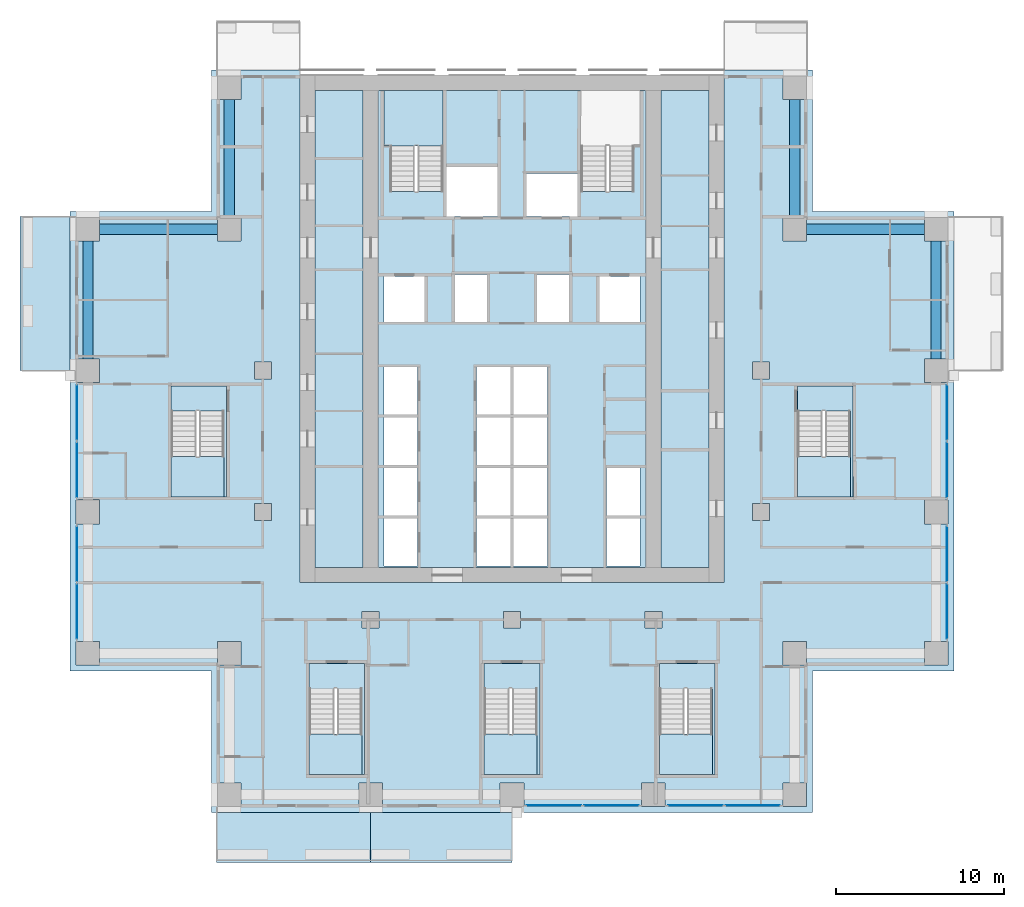
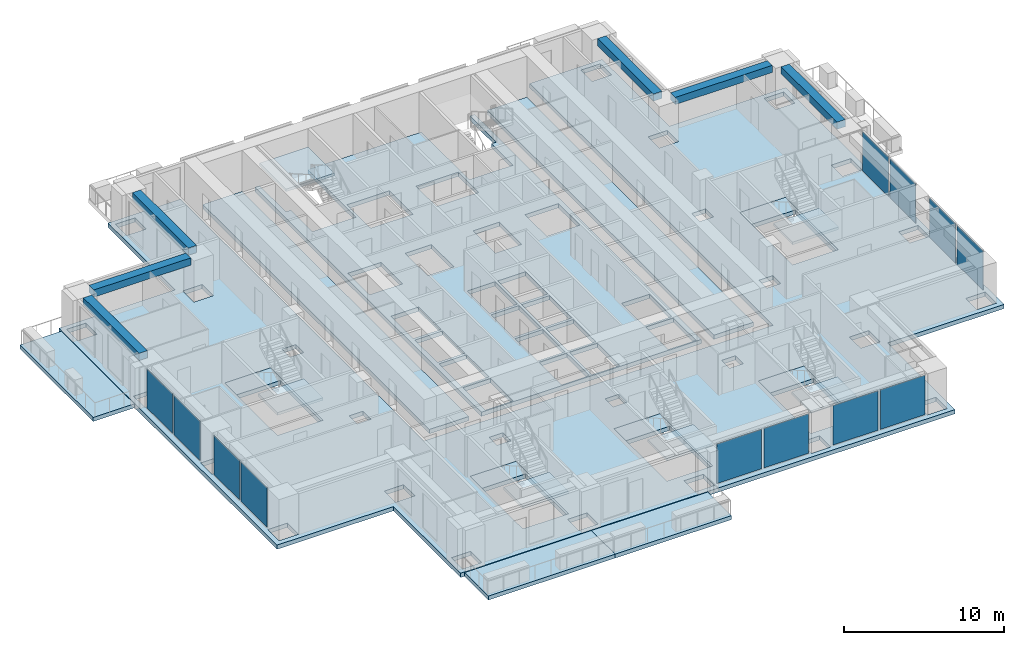
# One storey, part 5 of 16: 18 slabs, 12 plates, 6 beams, 12 elements without a shape of their own.
"""IFC4 building model written with IfcOpenShell, lengths in metres."""

from ifc_helpers import new_model, si_unit, direction, frame, origin, origin_2d, place, context, subcontext, project, spatial, polyline, rectangle, outline, extrude, material, layer, layer_set, material_profile, profile_set, type_object, element, aggregate, save


model = new_model("IFC4")

# Units and contexts
model_context = context("Model", 3, precision=1e-05, world=origin(), true_north=direction((0.0, 1.0)))
body_context = subcontext(model_context, "Body", "Model", "MODEL_VIEW")
ifc_project = project(units=[si_unit("LENGTHUNIT", "METRE"), si_unit("AREAUNIT", "SQUARE_METRE"), si_unit("VOLUMEUNIT", "CUBIC_METRE"), si_unit("PLANEANGLEUNIT", "RADIAN"), si_unit("MASSUNIT", "GRAM", prefix="KILO")], contexts=[model_context])

# Site, building, storey
site_placement = place(None, origin())
site = spatial("IfcSite", under=ifc_project, at=site_placement, CompositionType="ELEMENT")
building_placement = place(site_placement, origin())
building = spatial("IfcBuilding", under=site, at=building_placement, Name="Vermilion Ogive Tower", CompositionType="ELEMENT")
storey_placement = place(building_placement, frame((0.0, 0.0, 41.39990234375)))
storey = spatial("IfcBuildingStorey", under=building, at=storey_placement, Name="L08", CompositionType="ELEMENT", Elevation=41.39990234375)

# Beams
ifc_material_1 = material(Name="Concrete B45", Category="concrete")
ifc_material_profile = material_profile(ifc_material_1, rectangle(XDim=0.60009765625, YDim=0.550048828125, at=origin_2d()), Name="600 x 550")
ifc_profile_set = profile_set([ifc_material_profile], Name="Concrete B45")
beam_type = type_object("IfcBeamType", Name="Edge beam 600 x 550 B45", PredefinedType="BEAM", material=ifc_profile_set)
for number, where, z_axis, x_axis, name in (
    (1, (25.199951171875, 4.89990234375, 2.85498046875), (0.0, 1.0, 0.0), (-1.0, 0.0, 0.0), "L08-EB-9"),
    (2, (24.5, 12.60009765625, 2.85498046875), (-1.0, 0.0, 0.0), (0.0, -1.0, 0.0), "L08-EB-10"),
    (3, (16.800048828125, 13.300048828125, 2.85498046875), (0.0, 1.0, 0.0), (-1.0, 0.0, 0.0), "L08-EB-11"),
    (4, (-16.800048828125, 20.300048828125, 2.85498046875), (0.0, -1.0, 0.0), (1.0, 0.0, 0.0), "L08-EB-12"),
    (5, (-17.5, 12.60009765625, 2.85498046875), (-1.0, 0.0, 0.0), (0.0, -1.0, 0.0), "L08-EB-13"),
    (6, (-25.199951171875, 11.89990234375, 2.85498046875), (0.0, -1.0, 0.0), (1.0, 0.0, 0.0), "L08-EB-14"),
):
    element("IfcBeam", number, at=place(storey_placement, frame(where, z_axis=z_axis, x_axis=x_axis)), inside=storey, type_object=beam_type, Name=name, PredefinedType="BEAM", context=body_context, shape_type="SweptSolid", body=[
        extrude(rectangle(XDim=0.60009765625, YDim=0.550048828125, at=origin_2d()), origin(), (0.0, 0.0, 1.0), 7.0),
    ])

# Slabs
ifc_material_2 = material(Name="Concrete B40", Category="concrete")
ifc_layer_1 = layer(ifc_material_2, 0.300048828125)
ifc_layer_set_1 = layer_set([ifc_layer_1], Name="Balcony slab")
slab_type_1 = type_object("IfcSlabType", Name="Balcony slab", PredefinedType="FLOOR", material=ifc_layer_set_1)
slab_1_placement = place(storey_placement, frame((0.0, 0.0, -0.33984375)))
element("IfcSlab", 7, at=slab_1_placement, inside=storey, type_object=slab_type_1, Name="Balcony slab S01", PredefinedType="FLOOR", context=body_context, shape_type="SweptSolid", body=[
    extrude(outline(polyline([(-17.550048828125, -25.030029296875), (-8.39990234375, -25.030029296875), (-8.39990234375, -22.050048828125), (-17.550048828125, -22.050048828125), (-17.550048828125, -25.030029296875)])), origin(), (0.0, 0.0, 1.0), 0.300048828125),
])
slab_2_placement = place(storey_placement, frame((0.0, 0.0, -0.33984375)))
element("IfcSlab", 8, at=slab_2_placement, inside=storey, type_object=slab_type_1, Name="Balcony slab S02", PredefinedType="FLOOR", context=body_context, shape_type="SweptSolid", body=[
    extrude(outline(polyline([(-8.39990234375, -25.030029296875), (0.0, -25.030029296875), (0.0, -22.050048828125), (-8.39990234375, -22.050048828125), (-8.39990234375, -25.030029296875)])), origin(), (0.0, 0.0, 1.0), 0.300048828125),
])
slab_3_placement = place(storey_placement, frame((0.0, 0.0, -0.33984375)))
element("IfcSlab", 9, at=slab_3_placement, inside=storey, type_object=slab_type_1, Name="Balcony slab W01", PredefinedType="FLOOR", context=body_context, shape_type="SweptSolid", body=[
    extrude(outline(polyline([(-29.22998046875, 13.35009765625), (-29.22998046875, 4.199951171875), (-26.25, 4.199951171875), (-26.25, 13.35009765625), (-29.22998046875, 13.35009765625)])), origin(), (0.0, 0.0, 1.0), 0.300048828125),
])

# Curtain wall, plates
ifc_material_3 = material(Name="Low-iron laminated glazing in aluminium frame", Category="aluminium")
curtain_wall_type = type_object("IfcCurtainWallType", Name="Curtain wall CW7", PredefinedType="NOTDEFINED", material=ifc_material_3)
curtain_wall_1_placement = place(storey_placement, origin())
curtain_wall_1 = element("IfcCurtainWall", 10, at=curtain_wall_1_placement, inside=storey, type_object=curtain_wall_type, Name="Glazed skin S3", PredefinedType="NOTDEFINED")
ifc_material_4 = material(Name="Low-iron laminated glazing in aluminium frame", Category="aluminium")
ifc_layer_2 = layer(ifc_material_4, 0.031982421875)
ifc_layer_set_2 = layer_set([ifc_layer_2], Name="CW7 glazing panel 32")
plate_type = type_object("IfcPlateType", Name="CW7 glazing panel 32", PredefinedType="CURTAIN_PANEL", material=ifc_layer_set_2)
plate_1_placement = place(storey_placement, frame((2.4951171875, -21.64990234375, 0.06005859375), z_axis=(0.0, 0.0, 1.0), x_axis=(1.0, 0.0, 0.0)))
plate_1 = element("IfcPlate", 11, at=plate_1_placement, type_object=plate_type, Name="CW7-S3 panel 1.1", PredefinedType="CURTAIN_PANEL", context=body_context, shape_type="SweptSolid", body=[
    extrude(rectangle(XDim=3.22998046875, YDim=0.031982421875, at=origin_2d()), origin(), (0.0, 0.0, 1.0), 3.010009765625),
])
plate_2_placement = place(storey_placement, frame((5.905029296875, -21.64990234375, 0.06005859375), z_axis=(0.0, 0.0, 1.0), x_axis=(1.0, 0.0, 0.0)))
plate_2 = element("IfcPlate", 12, at=plate_2_placement, type_object=plate_type, Name="CW7-S3 panel 2.1", PredefinedType="CURTAIN_PANEL", context=body_context, shape_type="SweptSolid", body=[
    extrude(rectangle(XDim=3.22998046875, YDim=0.031982421875, at=origin_2d()), origin(), (0.0, 0.0, 1.0), 3.010009765625),
])
aggregate(curtain_wall_1, [plate_1, plate_2])

curtain_wall_2_placement = place(storey_placement, origin())
curtain_wall_2 = element("IfcCurtainWall", 13, at=curtain_wall_2_placement, inside=storey, type_object=curtain_wall_type, Name="Glazed skin S4", PredefinedType="NOTDEFINED")
plate_3_placement = place(storey_placement, frame((10.89501953125, -21.64990234375, 0.06005859375), z_axis=(0.0, 0.0, 1.0), x_axis=(1.0, 0.0, 0.0)))
plate_3 = element("IfcPlate", 14, at=plate_3_placement, type_object=plate_type, Name="CW7-S4 panel 1.1", PredefinedType="CURTAIN_PANEL", context=body_context, shape_type="SweptSolid", body=[
    extrude(rectangle(XDim=3.22998046875, YDim=0.031982421875, at=origin_2d()), origin(), (0.0, 0.0, 1.0), 3.010009765625),
])
plate_4_placement = place(storey_placement, frame((14.304931640625, -21.64990234375, 0.06005859375), z_axis=(0.0, 0.0, 1.0), x_axis=(1.0, 0.0, 0.0)))
plate_4 = element("IfcPlate", 15, at=plate_4_placement, type_object=plate_type, Name="CW7-S4 panel 2.1", PredefinedType="CURTAIN_PANEL", context=body_context, shape_type="SweptSolid", body=[
    extrude(rectangle(XDim=3.22998046875, YDim=0.031982421875, at=origin_2d()), origin(), (0.0, 0.0, 1.0), 3.010009765625),
])
aggregate(curtain_wall_2, [plate_3, plate_4])

curtain_wall_3_placement = place(storey_placement, origin())
curtain_wall_3 = element("IfcCurtainWall", 16, at=curtain_wall_3_placement, inside=storey, type_object=curtain_wall_type, Name="Glazed skin E1", PredefinedType="NOTDEFINED")
plate_5_placement = place(storey_placement, frame((25.85009765625, -10.10498046875, 0.06005859375), z_axis=(0.0, 0.0, 1.0), x_axis=(0.0, 1.0, 0.0)))
plate_5 = element("IfcPlate", 17, at=plate_5_placement, type_object=plate_type, Name="CW7-E1 panel 1.1", PredefinedType="CURTAIN_PANEL", context=body_context, shape_type="SweptSolid", body=[
    extrude(rectangle(XDim=3.22998046875, YDim=0.031982421875, at=origin_2d()), origin(), (0.0, 0.0, 1.0), 3.010009765625),
])
plate_6_placement = place(storey_placement, frame((25.85009765625, -6.695068359375, 0.06005859375), z_axis=(0.0, 0.0, 1.0), x_axis=(0.0, 1.0, 0.0)))
plate_6 = element("IfcPlate", 18, at=plate_6_placement, type_object=plate_type, Name="CW7-E1 panel 2.1", PredefinedType="CURTAIN_PANEL", context=body_context, shape_type="SweptSolid", body=[
    extrude(rectangle(XDim=3.22998046875, YDim=0.031982421875, at=origin_2d()), origin(), (0.0, 0.0, 1.0), 3.010009765625),
])
aggregate(curtain_wall_3, [plate_5, plate_6])

curtain_wall_4_placement = place(storey_placement, origin())
curtain_wall_4 = element("IfcCurtainWall", 19, at=curtain_wall_4_placement, inside=storey, type_object=curtain_wall_type, Name="Glazed skin E2", PredefinedType="NOTDEFINED")
plate_7_placement = place(storey_placement, frame((25.85009765625, -1.705078125, 0.06005859375), z_axis=(0.0, 0.0, 1.0), x_axis=(0.0, 1.0, 0.0)))
plate_7 = element("IfcPlate", 20, at=plate_7_placement, type_object=plate_type, Name="CW7-E2 panel 1.1", PredefinedType="CURTAIN_PANEL", context=body_context, shape_type="SweptSolid", body=[
    extrude(rectangle(XDim=3.22998046875, YDim=0.031982421875, at=origin_2d()), origin(), (0.0, 0.0, 1.0), 3.010009765625),
])
plate_8_placement = place(storey_placement, frame((25.85009765625, 1.705078125, 0.06005859375), z_axis=(0.0, 0.0, 1.0), x_axis=(0.0, 1.0, 0.0)))
plate_8 = element("IfcPlate", 21, at=plate_8_placement, type_object=plate_type, Name="CW7-E2 panel 2.1", PredefinedType="CURTAIN_PANEL", context=body_context, shape_type="SweptSolid", body=[
    extrude(rectangle(XDim=3.22998046875, YDim=0.031982421875, at=origin_2d()), origin(), (0.0, 0.0, 1.0), 3.010009765625),
])
aggregate(curtain_wall_4, [plate_7, plate_8])

curtain_wall_5_placement = place(storey_placement, origin())
curtain_wall_5 = element("IfcCurtainWall", 22, at=curtain_wall_5_placement, inside=storey, type_object=curtain_wall_type, Name="Glazed skin W2", PredefinedType="NOTDEFINED")
plate_9_placement = place(storey_placement, frame((-25.85009765625, 1.705078125, 0.06005859375), z_axis=(0.0, 0.0, 1.0), x_axis=(0.0, -1.0, 0.0)))
plate_9 = element("IfcPlate", 23, at=plate_9_placement, type_object=plate_type, Name="CW7-W2 panel 1.1", PredefinedType="CURTAIN_PANEL", context=body_context, shape_type="SweptSolid", body=[
    extrude(rectangle(XDim=3.22998046875, YDim=0.031982421875, at=origin_2d()), origin(), (0.0, 0.0, 1.0), 3.010009765625),
])
plate_10_placement = place(storey_placement, frame((-25.85009765625, -1.705078125, 0.06005859375), z_axis=(0.0, 0.0, 1.0), x_axis=(0.0, -1.0, 0.0)))
plate_10 = element("IfcPlate", 24, at=plate_10_placement, type_object=plate_type, Name="CW7-W2 panel 2.1", PredefinedType="CURTAIN_PANEL", context=body_context, shape_type="SweptSolid", body=[
    extrude(rectangle(XDim=3.22998046875, YDim=0.031982421875, at=origin_2d()), origin(), (0.0, 0.0, 1.0), 3.010009765625),
])
aggregate(curtain_wall_5, [plate_9, plate_10])

curtain_wall_6_placement = place(storey_placement, origin())
curtain_wall_6 = element("IfcCurtainWall", 25, at=curtain_wall_6_placement, inside=storey, type_object=curtain_wall_type, Name="Glazed skin W3", PredefinedType="NOTDEFINED")
plate_11_placement = place(storey_placement, frame((-25.85009765625, -6.695068359375, 0.06005859375), z_axis=(0.0, 0.0, 1.0), x_axis=(0.0, -1.0, 0.0)))
plate_11 = element("IfcPlate", 26, at=plate_11_placement, type_object=plate_type, Name="CW7-W3 panel 1.1", PredefinedType="CURTAIN_PANEL", context=body_context, shape_type="SweptSolid", body=[
    extrude(rectangle(XDim=3.22998046875, YDim=0.031982421875, at=origin_2d()), origin(), (0.0, 0.0, 1.0), 3.010009765625),
])
plate_12_placement = place(storey_placement, frame((-25.85009765625, -10.10498046875, 0.06005859375), z_axis=(0.0, 0.0, 1.0), x_axis=(0.0, -1.0, 0.0)))
plate_12 = element("IfcPlate", 27, at=plate_12_placement, type_object=plate_type, Name="CW7-W3 panel 2.1", PredefinedType="CURTAIN_PANEL", context=body_context, shape_type="SweptSolid", body=[
    extrude(rectangle(XDim=3.22998046875, YDim=0.031982421875, at=origin_2d()), origin(), (0.0, 0.0, 1.0), 3.010009765625),
])
aggregate(curtain_wall_6, [plate_11, plate_12])

# Slabs
ifc_material_5 = material(Name="Concrete B40", Category="concrete")
ifc_layer_3 = layer(ifc_material_5, 0.320068359375)
ifc_layer_set_3 = layer_set([ifc_layer_3], Name="Core floor slab 320 B40")
slab_type_2 = type_object("IfcSlabType", Name="Core floor slab 320 B40", PredefinedType="FLOOR", material=ifc_layer_set_3)
slab_4_placement = place(storey_placement, frame((0.0, 0.0, -0.31982421875)))
element("IfcSlab", 28, at=slab_4_placement, inside=storey, type_object=slab_type_2, Name="L08-CK-FS1", PredefinedType="FLOOR", context=body_context, shape_type="SweptSolid", body=[
    extrude(outline(polyline([(-8.85400390625, -7.49609375), (-11.696044921875, -7.49609375), (-11.696044921875, 20.845947265625), (-8.85400390625, 20.845947265625), (-8.85400390625, -7.49609375)])), origin(), (0.0, 0.0, 1.0), 0.31982421875),
])
slab_5_placement = place(storey_placement, frame((0.0, 0.0, -0.31982421875)))
element("IfcSlab", 29, at=slab_5_placement, inside=storey, type_object=slab_type_2, Name="L08-CK-FS2", PredefinedType="FLOOR", context=body_context, shape_type="SweptSolid", body=[
    extrude(outline(polyline([(5.75, 14.85009765625), (5.60009765625, 14.85009765625), (5.60009765625, 14.85205078125), (4.10009765625, 14.85205078125), (4.10009765625, 17.550048828125), (4.074951171875, 17.550048828125), (4.074951171875, 20.845947265625), (-4.10009765625, 20.845947265625), (-4.10009765625, 14.85205078125), (-5.60009765625, 14.85205078125), (-5.60009765625, 14.85009765625), (-5.75, 14.85009765625), (-5.75, 14.85205078125), (-7.25, 14.85205078125), (-7.25, 17.550048828125), (-7.60009765625, 17.550048828125), (-7.60009765625, 20.845947265625), (-7.946044921875, 20.845947265625), (-7.946044921875, -7.49609375), (7.946044921875, -7.49609375), (7.946044921875, 20.845947265625), (7.60009765625, 20.845947265625), (7.60009765625, 17.550048828125), (7.25, 17.550048828125), (7.25, 14.85205078125), (5.75, 14.85205078125), (5.75, 14.85009765625)]), holes=[polyline([(-7.60009765625, -4.60009765625), (-5.60009765625, -4.60009765625), (-5.60009765625, -7.39990234375), (-7.60009765625, -7.39990234375), (-7.60009765625, -4.60009765625)]), polyline([(-2.10009765625, -4.60009765625), (-0.10009765625, -4.60009765625), (-0.10009765625, -7.39990234375), (-2.10009765625, -7.39990234375), (-2.10009765625, -4.60009765625)]), polyline([(-7.60009765625, -4.39990234375), (-7.60009765625, -1.60009765625), (-5.60009765625, -1.60009765625), (-5.60009765625, -4.39990234375), (-7.60009765625, -4.39990234375)]), polyline([(-2.10009765625, -1.60009765625), (-0.10009765625, -1.60009765625), (-0.10009765625, -4.39990234375), (-2.10009765625, -4.39990234375), (-2.10009765625, -1.60009765625)]), polyline([(-7.60009765625, -1.39990234375), (-7.60009765625, 1.39990234375), (-5.60009765625, 1.39990234375), (-5.60009765625, -1.39990234375), (-7.60009765625, -1.39990234375)]), polyline([(-2.10009765625, 1.39990234375), (-0.10009765625, 1.39990234375), (-0.10009765625, -1.39990234375), (-2.10009765625, -1.39990234375), (-2.10009765625, 1.39990234375)]), polyline([(-7.60009765625, 4.39990234375), (-5.60009765625, 4.39990234375), (-5.60009765625, 1.60009765625), (-7.60009765625, 1.60009765625), (-7.60009765625, 4.39990234375)]), polyline([(-2.10009765625, 4.39990234375), (-0.10009765625, 4.39990234375), (-0.10009765625, 1.60009765625), (-2.10009765625, 1.60009765625), (-2.10009765625, 4.39990234375)]), polyline([(-7.60009765625, 9.800048828125), (-5.199951171875, 9.800048828125), (-5.199951171875, 7.10009765625), (-7.60009765625, 7.10009765625), (-7.60009765625, 9.800048828125)]), polyline([(-3.39990234375, 9.89990234375), (-1.5, 9.89990234375), (-1.5, 7.10009765625), (-3.39990234375, 7.10009765625), (-3.39990234375, 9.89990234375)]), polyline([(-3.89990234375, 16.300048828125), (-0.85009765625, 16.300048828125), (-0.85009765625, 13.35009765625), (-3.89990234375, 13.35009765625), (-3.89990234375, 16.300048828125)]), polyline([(0.10009765625, -4.60009765625), (2.10009765625, -4.60009765625), (2.10009765625, -7.39990234375), (0.10009765625, -7.39990234375), (0.10009765625, -4.60009765625)]), polyline([(5.60009765625, -4.60009765625), (7.60009765625, -4.60009765625), (7.60009765625, -7.39990234375), (5.60009765625, -7.39990234375), (5.60009765625, -4.60009765625)]), polyline([(0.10009765625, -1.60009765625), (2.10009765625, -1.60009765625), (2.10009765625, -4.39990234375), (0.10009765625, -4.39990234375), (0.10009765625, -1.60009765625)]), polyline([(5.60009765625, -1.60009765625), (7.60009765625, -1.60009765625), (7.60009765625, -4.39990234375), (5.60009765625, -4.39990234375), (5.60009765625, -1.60009765625)]), polyline([(0.10009765625, 1.39990234375), (2.10009765625, 1.39990234375), (2.10009765625, -1.39990234375), (0.10009765625, -1.39990234375), (0.10009765625, 1.39990234375)]), polyline([(0.10009765625, 4.39990234375), (2.10009765625, 4.39990234375), (2.10009765625, 1.60009765625), (0.10009765625, 1.60009765625), (0.10009765625, 4.39990234375)]), polyline([(5.199951171875, 9.800048828125), (7.60009765625, 9.800048828125), (7.60009765625, 7.10009765625), (5.199951171875, 7.10009765625), (5.199951171875, 9.800048828125)]), polyline([(1.5, 9.89990234375), (3.39990234375, 9.89990234375), (3.39990234375, 7.10009765625), (1.5, 7.10009765625), (1.5, 9.89990234375)]), polyline([(0.85009765625, 15.89990234375), (3.89990234375, 15.89990234375), (3.89990234375, 13.35009765625), (0.85009765625, 13.35009765625), (0.85009765625, 15.89990234375)])]), origin(), (0.0, 0.0, 1.0), 0.31982421875),
])
slab_6_placement = place(storey_placement, frame((0.0, 0.0, -0.31982421875)))
element("IfcSlab", 30, at=slab_6_placement, inside=storey, type_object=slab_type_2, Name="L08-CK-FS3", PredefinedType="FLOOR", context=body_context, shape_type="SweptSolid", body=[
    extrude(outline(polyline([(8.85400390625, 20.845947265625), (11.696044921875, 20.845947265625), (11.696044921875, -7.49609375), (8.85400390625, -7.49609375), (8.85400390625, 20.845947265625)])), origin(), (0.0, 0.0, 1.0), 0.31982421875),
])
slab_7_placement = place(storey_placement, frame((0.0, 0.0, -0.31982421875)))
element("IfcSlab", 31, at=slab_7_placement, inside=storey, type_object=slab_type_2, Name="L08-SF-ST3-1", PredefinedType="FLOOR", context=body_context, shape_type="SweptSolid", body=[
    extrude(outline(polyline([(-12.050048828125, -13.199951171875), (-12.050048828125, -14.701904296875), (-10.550048828125, -14.701904296875), (-10.550048828125, -14.699951171875), (-10.39990234375, -14.699951171875), (-10.39990234375, -14.701904296875), (-8.89990234375, -14.701904296875), (-8.89990234375, -19.800048828125), (-8.75, -19.800048828125), (-8.75, -13.199951171875), (-12.050048828125, -13.199951171875)])), origin(), (0.0, 0.0, 1.0), 0.31982421875),
])
slab_8_placement = place(storey_placement, frame((0.0, 0.0, -0.31982421875)))
element("IfcSlab", 32, at=slab_8_placement, inside=storey, type_object=slab_type_2, Name="L08-SF-ST4-1", PredefinedType="FLOOR", context=body_context, shape_type="SweptSolid", body=[
    extrude(outline(polyline([(-1.64990234375, -13.199951171875), (-1.64990234375, -14.701904296875), (-0.14990234375, -14.701904296875), (-0.14990234375, -14.699951171875), (0.0, -14.699951171875), (0.0, -14.701904296875), (1.5, -14.701904296875), (1.5, -19.800048828125), (1.64990234375, -19.800048828125), (1.64990234375, -13.199951171875), (-1.64990234375, -13.199951171875)])), origin(), (0.0, 0.0, 1.0), 0.31982421875),
])
slab_9_placement = place(storey_placement, frame((0.0, 0.0, -0.31982421875)))
element("IfcSlab", 33, at=slab_9_placement, inside=storey, type_object=slab_type_2, Name="L08-SF-ST5-1", PredefinedType="FLOOR", context=body_context, shape_type="SweptSolid", body=[
    extrude(outline(polyline([(8.75, -13.199951171875), (8.75, -14.701904296875), (10.25, -14.701904296875), (10.25, -14.699951171875), (10.39990234375, -14.699951171875), (10.39990234375, -14.701904296875), (11.89990234375, -14.701904296875), (11.89990234375, -19.800048828125), (12.050048828125, -19.800048828125), (12.050048828125, -13.199951171875), (8.75, -13.199951171875)])), origin(), (0.0, 0.0, 1.0), 0.31982421875),
])
slab_10_placement = place(storey_placement, frame((0.0, 0.0, -0.31982421875)))
element("IfcSlab", 34, at=slab_10_placement, inside=storey, type_object=slab_type_2, Name="L08-SF-ST8-1", PredefinedType="FLOOR", context=body_context, shape_type="SweptSolid", body=[
    extrude(outline(polyline([(16.949951171875, 3.300048828125), (16.949951171875, 1.798095703125), (18.449951171875, 1.798095703125), (18.449951171875, 1.800048828125), (18.60009765625, 1.800048828125), (18.60009765625, 1.798095703125), (20.10009765625, 1.798095703125), (20.10009765625, -3.300048828125), (20.25, -3.300048828125), (20.25, 3.300048828125), (16.949951171875, 3.300048828125)])), origin(), (0.0, 0.0, 1.0), 0.31982421875),
])
slab_11_placement = place(storey_placement, frame((0.0, 0.0, -0.31982421875)))
element("IfcSlab", 35, at=slab_11_placement, inside=storey, type_object=slab_type_2, Name="L08-SF-ST9-1", PredefinedType="FLOOR", context=body_context, shape_type="SweptSolid", body=[
    extrude(outline(polyline([(-20.25, 3.300048828125), (-20.25, 1.798095703125), (-18.75, 1.798095703125), (-18.75, 1.800048828125), (-18.60009765625, 1.800048828125), (-18.60009765625, 1.798095703125), (-17.10009765625, 1.798095703125), (-17.10009765625, -3.300048828125), (-16.949951171875, -3.300048828125), (-16.949951171875, 3.300048828125), (-20.25, 3.300048828125)])), origin(), (0.0, 0.0, 1.0), 0.31982421875),
])
ifc_material_6 = material(Name="Concrete B45", Category="concrete")
ifc_layer_4 = layer(ifc_material_6, 0.320068359375)
ifc_layer_set_4 = layer_set([ifc_layer_4], Name="Post-tensioned flat plate 320 B45")
slab_type_3 = type_object("IfcSlabType", Name="Post-tensioned flat plate 320 B45", PredefinedType="FLOOR", material=ifc_layer_set_4)
slab_12_placement = place(storey_placement, frame((0.0, 0.0, -0.31982421875)))
element("IfcSlab", 36, at=slab_12_placement, inside=storey, type_object=slab_type_3, Name="L08-SL-1", PredefinedType="FLOOR", context=body_context, shape_type="SweptSolid", body=[
    extrude(outline(polyline([(-26.25, -13.64990234375), (-17.85009765625, -13.64990234375), (-17.85009765625, -22.050048828125), (17.85009765625, -22.050048828125), (17.85009765625, -13.64990234375), (26.25, -13.64990234375), (26.25, 13.64990234375), (17.85009765625, 13.64990234375), (17.85009765625, 22.050048828125), (12.60009765625, 22.050048828125), (12.60009765625, -8.39990234375), (-12.60009765625, -8.39990234375), (-12.60009765625, 22.050048828125), (-17.85009765625, 22.050048828125), (-17.85009765625, 13.64990234375), (-26.25, 13.64990234375), (-26.25, -13.64990234375)]), holes=[polyline([(25.89990234375, -3.5), (25.89990234375, -4.89990234375), (24.5, -4.89990234375), (24.5, -3.5), (25.89990234375, -3.5)]), polyline([(25.89990234375, -11.89990234375), (25.89990234375, -13.300048828125), (24.5, -13.300048828125), (24.5, -11.89990234375), (25.89990234375, -11.89990234375)]), polyline([(25.89990234375, 11.89990234375), (24.5, 11.89990234375), (24.5, 13.300048828125), (25.89990234375, 13.300048828125), (25.89990234375, 11.89990234375)]), polyline([(25.89990234375, 3.5), (24.5, 3.5), (24.5, 4.89990234375), (25.89990234375, 4.89990234375), (25.89990234375, 3.5)]), polyline([(20.25, -3.2998046875), (20.25, -3.300048828125), (16.949951171875, -3.300048828125), (16.949951171875, 3.300048828125), (20.25, 3.300048828125), (20.25, -0.89990234375), (20.275146484375, -0.89990234375), (20.275146484375, -3.2998046875), (20.25, -3.2998046875)]), polyline([(17.5, -11.89990234375), (17.5, -13.300048828125), (16.10009765625, -13.300048828125), (16.10009765625, -11.89990234375), (17.5, -11.89990234375)]), polyline([(17.5, 20.300048828125), (16.10009765625, 20.300048828125), (16.10009765625, 21.699951171875), (17.5, 21.699951171875), (17.5, 20.300048828125)]), polyline([(17.5, -20.300048828125), (17.5, -21.699951171875), (16.10009765625, -21.699951171875), (16.10009765625, -20.300048828125), (17.5, -20.300048828125)]), polyline([(17.5, 13.300048828125), (17.5, 11.89990234375), (16.10009765625, 11.89990234375), (16.10009765625, 13.300048828125), (17.5, 13.300048828125)]), polyline([(15.300048828125, 4.699951171875), (15.300048828125, 3.699951171875), (14.300048828125, 3.699951171875), (14.300048828125, 4.699951171875), (15.300048828125, 4.699951171875)]), polyline([(15.300048828125, -4.699951171875), (14.300048828125, -4.699951171875), (14.300048828125, -3.699951171875), (15.300048828125, -3.699951171875), (15.300048828125, -4.699951171875)]), polyline([(12.050048828125, -13.199951171875), (12.050048828125, -19.800048828125), (8.75, -19.800048828125), (8.75, -13.199951171875), (12.050048828125, -13.199951171875)]), polyline([(9.10009765625, -20.300048828125), (9.10009765625, -21.699951171875), (7.699951171875, -21.699951171875), (7.699951171875, -20.300048828125), (9.10009765625, -20.300048828125)]), polyline([(8.89990234375, -11.10009765625), (7.89990234375, -11.10009765625), (7.89990234375, -10.10009765625), (8.89990234375, -10.10009765625), (8.89990234375, -11.10009765625)]), polyline([(1.64990234375, -13.199951171875), (1.64990234375, -19.800048828125), (-1.64990234375, -19.800048828125), (-1.64990234375, -13.199951171875), (1.64990234375, -13.199951171875)]), polyline([(0.699951171875, -20.300048828125), (0.699951171875, -21.699951171875), (-0.699951171875, -21.699951171875), (-0.699951171875, -20.300048828125), (0.699951171875, -20.300048828125)]), polyline([(0.5, -10.10009765625), (0.5, -11.10009765625), (-0.5, -11.10009765625), (-0.5, -10.10009765625), (0.5, -10.10009765625)]), polyline([(-7.699951171875, -20.300048828125), (-7.699951171875, -21.699951171875), (-9.10009765625, -21.699951171875), (-9.10009765625, -20.300048828125), (-7.699951171875, -20.300048828125)]), polyline([(-7.89990234375, -10.10009765625), (-7.89990234375, -11.10009765625), (-8.89990234375, -11.10009765625), (-8.89990234375, -10.10009765625), (-7.89990234375, -10.10009765625)]), polyline([(-8.75, -13.199951171875), (-8.75, -19.800048828125), (-12.050048828125, -19.800048828125), (-12.050048828125, -13.199951171875), (-8.75, -13.199951171875)]), polyline([(-14.300048828125, 4.699951171875), (-14.300048828125, 3.699951171875), (-15.300048828125, 3.699951171875), (-15.300048828125, 4.699951171875), (-14.300048828125, 4.699951171875)]), polyline([(-14.300048828125, -4.699951171875), (-15.300048828125, -4.699951171875), (-15.300048828125, -3.699951171875), (-14.300048828125, -3.699951171875), (-14.300048828125, -4.699951171875)]), polyline([(-16.10009765625, 13.300048828125), (-16.10009765625, 11.89990234375), (-17.5, 11.89990234375), (-17.5, 13.300048828125), (-16.10009765625, 13.300048828125)]), polyline([(-16.10009765625, -11.89990234375), (-16.10009765625, -13.300048828125), (-17.5, -13.300048828125), (-17.5, -11.89990234375), (-16.10009765625, -11.89990234375)]), polyline([(-16.10009765625, -20.300048828125), (-16.10009765625, -21.699951171875), (-17.5, -21.699951171875), (-17.5, -20.300048828125), (-16.10009765625, -20.300048828125)]), polyline([(-16.10009765625, 20.300048828125), (-17.5, 20.300048828125), (-17.5, 21.699951171875), (-16.10009765625, 21.699951171875), (-16.10009765625, 20.300048828125)]), polyline([(-16.949951171875, 3.300048828125), (-16.949951171875, -3.300048828125), (-20.25, -3.300048828125), (-20.25, 3.300048828125), (-16.949951171875, 3.300048828125)]), polyline([(-24.5, 3.5), (-25.89990234375, 3.5), (-25.89990234375, 4.89990234375), (-24.5, 4.89990234375), (-24.5, 3.5)]), polyline([(-24.5, 13.300048828125), (-24.5, 11.89990234375), (-25.89990234375, 11.89990234375), (-25.89990234375, 13.300048828125), (-24.5, 13.300048828125)]), polyline([(-24.5, -3.5), (-24.5, -4.89990234375), (-25.89990234375, -4.89990234375), (-25.89990234375, -3.5), (-24.5, -3.5)]), polyline([(-24.5, -11.89990234375), (-24.5, -13.300048828125), (-25.89990234375, -13.300048828125), (-25.89990234375, -11.89990234375), (-24.5, -11.89990234375)])]), origin(), (0.0, 0.0, 1.0), 0.31982421875),
])

# Stair, slab
ifc_material_7 = material(Name="Concrete B40", Category="concrete")
stair_type = type_object("IfcStairType", Name="Exit stair 1500", PredefinedType="HALF_TURN_STAIR", material=ifc_material_7)
stair_1_placement = place(storey_placement, origin())
stair_1 = element("IfcStair", 37, at=stair_1_placement, inside=storey, type_object=stair_type, Name="L08 Exit Stair ST1", PredefinedType="HALF_TURN_STAIR")
ifc_material_8 = material(Name="Concrete B40", Category="concrete")
ifc_layer_5 = layer(ifc_material_8, 0.199951171875)
ifc_layer_set_5 = layer_set([ifc_layer_5], Name="Stair landing 200")
slab_type_4 = type_object("IfcSlabType", Name="Stair landing 200", PredefinedType="LANDING", material=ifc_layer_set_5)
slab_13_placement = place(storey_placement, frame((0.0, 0.0, 1.525146484375)))
slab_13 = element("IfcSlab", 38, at=slab_13_placement, type_object=slab_type_4, Name="ST1 landing 1", PredefinedType="LANDING", context=body_context, shape_type="SweptSolid", body=[
    extrude(outline(polyline([(-7.60009765625, 17.550048828125), (-7.25, 17.550048828125), (-7.25, 17.548095703125), (-5.75, 17.548095703125), (-5.75, 17.550048828125), (-5.60009765625, 17.550048828125), (-5.60009765625, 17.548095703125), (-4.10009765625, 17.548095703125), (-4.10009765625, 20.85009765625), (-7.60009765625, 20.85009765625), (-7.60009765625, 17.550048828125)])), origin(), (0.0, 0.0, 1.0), 0.199951171875),
])
aggregate(stair_1, [slab_13])

stair_2_placement = place(storey_placement, origin())
stair_2 = element("IfcStair", 39, at=stair_2_placement, inside=storey, type_object=stair_type, Name="L08 Exit Stair ST3", PredefinedType="HALF_TURN_STAIR")
slab_14_placement = place(storey_placement, frame((0.0, 0.0, 1.525146484375)))
slab_14 = element("IfcSlab", 40, at=slab_14_placement, type_object=slab_type_4, Name="ST3 landing 1", PredefinedType="LANDING", context=body_context, shape_type="SweptSolid", body=[
    extrude(outline(polyline([(-8.75, -17.39990234375), (-8.89990234375, -17.39990234375), (-8.89990234375, -17.39794921875), (-10.39990234375, -17.39794921875), (-10.39990234375, -17.39990234375), (-10.550048828125, -17.39990234375), (-10.550048828125, -17.39794921875), (-12.050048828125, -17.39794921875), (-12.050048828125, -17.402099609375), (-12.0498046875, -17.402099609375), (-12.0498046875, -19.7998046875), (-8.75, -19.7998046875), (-8.75, -17.39990234375)])), origin(), (0.0, 0.0, 1.0), 0.199951171875),
])
aggregate(stair_2, [slab_14])

stair_3_placement = place(storey_placement, origin())
stair_3 = element("IfcStair", 41, at=stair_3_placement, inside=storey, type_object=stair_type, Name="L08 Exit Stair ST4", PredefinedType="HALF_TURN_STAIR")
slab_15_placement = place(storey_placement, frame((0.0, 0.0, 1.525146484375)))
slab_15 = element("IfcSlab", 42, at=slab_15_placement, type_object=slab_type_4, Name="ST4 landing 1", PredefinedType="LANDING", context=body_context, shape_type="SweptSolid", body=[
    extrude(outline(polyline([(1.64990234375, -17.39990234375), (1.5, -17.39990234375), (1.5, -17.39794921875), (0.0, -17.39794921875), (0.0, -17.39990234375), (-0.14990234375, -17.39990234375), (-0.14990234375, -17.39794921875), (-1.64990234375, -17.39794921875), (-1.64990234375, -19.7998046875), (1.64990234375, -19.7998046875), (1.64990234375, -17.39990234375)])), origin(), (0.0, 0.0, 1.0), 0.199951171875),
])
aggregate(stair_3, [slab_15])

stair_4_placement = place(storey_placement, origin())
stair_4 = element("IfcStair", 43, at=stair_4_placement, inside=storey, type_object=stair_type, Name="L08 Exit Stair ST5", PredefinedType="HALF_TURN_STAIR")
slab_16_placement = place(storey_placement, frame((0.0, 0.0, 1.525146484375)))
slab_16 = element("IfcSlab", 44, at=slab_16_placement, type_object=slab_type_4, Name="ST5 landing 1", PredefinedType="LANDING", context=body_context, shape_type="SweptSolid", body=[
    extrude(outline(polyline([(12.0498046875, -17.39990234375), (11.89990234375, -17.39990234375), (11.89990234375, -17.39794921875), (10.39990234375, -17.39794921875), (10.39990234375, -17.39990234375), (10.25, -17.39990234375), (10.25, -17.39794921875), (8.75, -17.39794921875), (8.75, -17.39990234375), (8.75, -17.39990234375), (8.75, -19.7998046875), (12.0498046875, -19.7998046875), (12.0498046875, -17.39990234375)])), origin(), (0.0, 0.0, 1.0), 0.199951171875),
])
aggregate(stair_4, [slab_16])

stair_5_placement = place(storey_placement, origin())
stair_5 = element("IfcStair", 45, at=stair_5_placement, inside=storey, type_object=stair_type, Name="L08 Exit Stair ST8", PredefinedType="HALF_TURN_STAIR")
slab_17_placement = place(storey_placement, frame((0.0, 0.0, 1.525146484375)))
slab_17 = element("IfcSlab", 46, at=slab_17_placement, type_object=slab_type_4, Name="ST8 landing 1", PredefinedType="LANDING", context=body_context, shape_type="SweptSolid", body=[
    extrude(outline(polyline([(20.275146484375, -0.89990234375), (20.10009765625, -0.89990234375), (20.10009765625, -0.89794921875), (18.60009765625, -0.89794921875), (18.60009765625, -0.89990234375), (18.449951171875, -0.89990234375), (18.449951171875, -0.89794921875), (16.949951171875, -0.89794921875), (16.949951171875, -0.902099609375), (16.9501953125, -0.902099609375), (16.9501953125, -3.2998046875), (20.275146484375, -3.2998046875), (20.275146484375, -0.89990234375)])), origin(), (0.0, 0.0, 1.0), 0.199951171875),
])
aggregate(stair_5, [slab_17])

stair_6_placement = place(storey_placement, origin())
stair_6 = element("IfcStair", 47, at=stair_6_placement, inside=storey, type_object=stair_type, Name="L08 Exit Stair ST9", PredefinedType="HALF_TURN_STAIR")
slab_18_placement = place(storey_placement, frame((0.0, 0.0, 1.525146484375)))
slab_18 = element("IfcSlab", 48, at=slab_18_placement, type_object=slab_type_4, Name="ST9 landing 1", PredefinedType="LANDING", context=body_context, shape_type="SweptSolid", body=[
    extrude(outline(polyline([(-16.9501953125, -0.89990234375), (-17.10009765625, -0.89990234375), (-17.10009765625, -0.89794921875), (-18.60009765625, -0.89794921875), (-18.60009765625, -0.89990234375), (-18.75, -0.89990234375), (-18.75, -0.89794921875), (-20.25, -0.89794921875), (-20.25, -0.89990234375), (-20.25, -0.89990234375), (-20.25, -3.2998046875), (-16.9501953125, -3.2998046875), (-16.9501953125, -0.89990234375)])), origin(), (0.0, 0.0, 1.0), 0.199951171875),
])
aggregate(stair_6, [slab_18])

save(model, "model.ifc")
